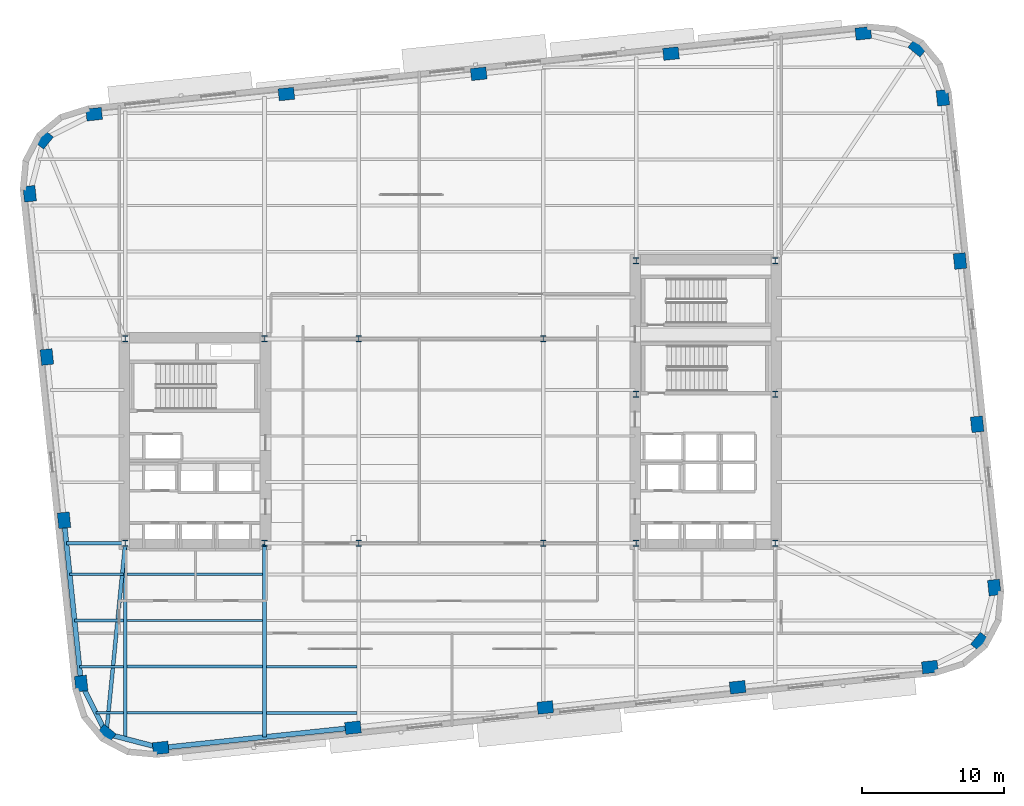
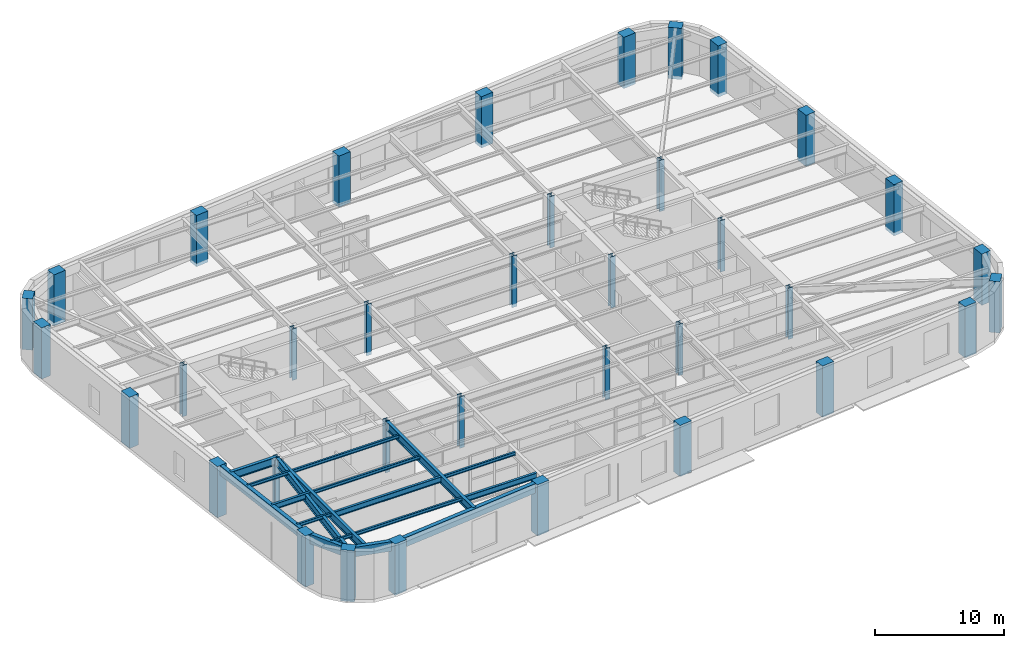
# One storey, part 1 of 14: 36 columns, 18 beams.
"""IFC4 building model written with IfcOpenShell, lengths in metres."""

from ifc_helpers import new_model, si_unit, direction, frame, origin, origin_2d, place, context, subcontext, project, spatial, rectangle, hollow_rectangle, i_section, extrude, material, material_profile, profile_set, type_object, element, save


model = new_model("IFC4")

# Units and contexts
model_context = context("Model", 3, precision=1e-05, world=origin(), true_north=direction((0.0, 1.0)))
body_context = subcontext(model_context, "Body", "Model", "MODEL_VIEW")
ifc_project = project(units=[si_unit("LENGTHUNIT", "METRE"), si_unit("AREAUNIT", "SQUARE_METRE"), si_unit("VOLUMEUNIT", "CUBIC_METRE"), si_unit("PLANEANGLEUNIT", "RADIAN"), si_unit("MASSUNIT", "GRAM", prefix="KILO")], contexts=[model_context])

# Site, building, storey
site_placement = place(None, origin())
site = spatial("IfcSite", under=ifc_project, at=site_placement, CompositionType="ELEMENT")
building_placement = place(site_placement, origin())
building = spatial("IfcBuilding", under=site, at=building_placement, Name="Kolvaren Arena Tower", CompositionType="ELEMENT")
storey_placement = place(building_placement, frame((0.0, 0.0, 125.949951171875)))
storey = spatial("IfcBuildingStorey", under=building, at=storey_placement, Name="L29", CompositionType="ELEMENT", Elevation=125.949951171875)

# Columns
ifc_material_1 = material(Name="Precast concrete C70/85", Category="concrete")
ifc_material_profile_1 = material_profile(ifc_material_1, rectangle(XDim=1.10009765625, YDim=0.85009765625, at=origin_2d()), Name="RC-1100x850")
ifc_profile_set_1 = profile_set([ifc_material_profile_1], Name="Precast concrete C70/85")
column_type_1 = type_object("IfcColumnType", Name="EXCOL-Z2", PredefinedType="COLUMN", material=ifc_profile_set_1)
for number, where, z_axis, x_axis, name in (
    (1, (17.0458984375, 5.024658203125, -0.31005859375), (0.0, 0.0, 1.0), (0.994521895368, 0.104528463268, 0.0), "Exoskeleton Perimeter Column 01 (L29)"),
    (2, (30.59619140625, 6.44873046875, -0.31005859375), (0.0, 0.0, 1.0), (0.994521895368, 0.104528463268, 0.0), "Exoskeleton Perimeter Column 02 (L29)"),
    (3, (44.146728515625, 7.873046875, -0.31005859375), (0.0, 0.0, 1.0), (0.994521895368, 0.104528463268, 0.0), "Exoskeleton Perimeter Column 03 (L29)"),
    (4, (57.697021484375, 9.297119140625, -0.31005859375), (0.0, 0.0, 1.0), (0.994521895368, 0.104528463268, 0.0), "Exoskeleton Perimeter Column 04 (L29)"),
    (5, (71.247314453125, 10.721435546875, -0.31005859375), (0.0, 0.0, 1.0), (0.994521895368, 0.104528463268, 0.0), "Exoskeleton Perimeter Column 05 (L29)"),
    (6, (74.790283203125, 12.49267578125, -0.31005859375), (0.0, 0.0, 1.0), (0.62932039105, 0.777145961457, 0.0), "Exoskeleton Perimeter Column 06 (L29)"),
    (7, (75.786376953125, 16.326416015625, -0.31005859375), (0.0, 0.0, 1.0), (-0.104528463268, 0.994521895368, 0.0), "Exoskeleton Perimeter Column 07 (L29)"),
    (8, (74.577392578125, 27.829833984375, -0.31005859375), (0.0, 0.0, 1.0), (-0.104528463268, 0.994521895368, 0.0), "Exoskeleton Perimeter Column 08 (L29)"),
    (9, (73.368408203125, 39.3330078125, -0.31005859375), (0.0, 0.0, 1.0), (-0.104528463268, 0.994521895368, 0.0), "Exoskeleton Perimeter Column 09 (L29)"),
    (10, (72.1591796875, 50.83642578125, -0.31005859375), (0.0, 0.0, 1.0), (-0.104528463268, 0.994521895368, 0.0), "Exoskeleton Perimeter Column 10 (L29)"),
    (11, (70.387939453125, 54.37939453125, -0.31005859375), (0.0, 0.0, 1.0), (-0.777145961457, 0.62932039105, 0.0), "Exoskeleton Perimeter Column 11 (L29)"),
    (12, (66.55419921875, 55.37548828125, -0.31005859375), (0.0, 0.0, 1.0), (0.994521895368, 0.104528463268, 0.0), "Exoskeleton Perimeter Column 12 (L29)"),
    (13, (53.003662109375, 53.951171875, -0.31005859375), (0.0, 0.0, 1.0), (0.994521895368, 0.104528463268, 0.0), "Exoskeleton Perimeter Column 13 (L29)"),
    (14, (39.453369140625, 52.527099609375, -0.31005859375), (0.0, 0.0, 1.0), (0.994521895368, 0.104528463268, 0.0), "Exoskeleton Perimeter Column 14 (L29)"),
    (15, (25.903076171875, 51.102783203125, -0.31005859375), (0.0, 0.0, 1.0), (0.994521895368, 0.104528463268, 0.0), "Exoskeleton Perimeter Column 15 (L29)"),
    (16, (12.3525390625, 49.6787109375, -0.31005859375), (0.0, 0.0, 1.0), (0.994521895368, 0.104528463268, 0.0), "Exoskeleton Perimeter Column 16 (L29)"),
    (17, (8.8095703125, 47.9072265625, -0.31005859375), (0.0, 0.0, 1.0), (0.62932039105, 0.777145961457, 0.0), "Exoskeleton Perimeter Column 17 (L29)"),
    (18, (7.813720703125, 44.073486328125, -0.31005859375), (0.0, 0.0, 1.0), (-0.104528463268, 0.994521895368, 0.0), "Exoskeleton Perimeter Column 18 (L29)"),
    (19, (9.022705078125, 32.5703125, -0.31005859375), (0.0, 0.0, 1.0), (-0.104528463268, 0.994521895368, 0.0), "Exoskeleton Perimeter Column 19 (L29)"),
    (20, (10.231689453125, 21.06689453125, -0.31005859375), (0.0, 0.0, 1.0), (-0.104528463268, 0.994521895368, 0.0), "Exoskeleton Perimeter Column 20 (L29)"),
    (21, (11.44091796875, 9.5634765625, -0.31005859375), (0.0, 0.0, 1.0), (-0.104528463268, 0.994521895368, 0.0), "Exoskeleton Perimeter Column 21 (L29)"),
    (22, (13.212158203125, 6.0205078125, -0.31005859375), (0.0, 0.0, 1.0), (-0.777145961457, 0.62932039105, 0.0), "Exoskeleton Perimeter Column 22 (L29)"),
):
    element("IfcColumn", number, at=place(storey_placement, frame(where, z_axis=z_axis, x_axis=x_axis)), inside=storey, type_object=column_type_1, Name=name, PredefinedType="COLUMN", context=body_context, shape_type="SweptSolid", body=[
        extrude(rectangle(XDim=1.10009765625, YDim=0.85009765625, at=origin_2d()), origin(), (0.0, 0.0, 1.0), 4.840087890625),
    ])
ifc_material_2 = material(Name="Steel ASTM A913 Grade 65", Category="steel")
ifc_material_profile_2 = material_profile(ifc_material_2, i_section(OverallWidth=0.416015625, OverallDepth=0.446044921875, WebThickness=0.0390625, FlangeThickness=0.062744140625, FilletRadius=0.02001953125, at=origin_2d()), Name="W360x509")
ifc_profile_set_2 = profile_set([ifc_material_profile_2], Name="Steel ASTM A913 Grade 65")
column_type_2 = type_object("IfcColumnType", Name="SCOL-Z2", PredefinedType="COLUMN", material=ifc_profile_set_2)
for number, where, z_axis, x_axis, name in (
    (23, (14.550048828125, 19.449951171875, -0.31005859375), (0.0, 0.0, 1.0), (1.0, 0.0, 0.0), "Core Boundary Column WC-SW (L29)"),
    (24, (24.35009765625, 19.449951171875, -0.31005859375), (0.0, 0.0, 1.0), (1.0, 0.0, 0.0), "Core Boundary Column WC-SE (L29)"),
    (25, (14.550048828125, 33.85009765625, -0.31005859375), (0.0, 0.0, 1.0), (1.0, 0.0, 0.0), "Core Boundary Column WC-NW (L29)"),
    (26, (24.35009765625, 33.85009765625, -0.31005859375), (0.0, 0.0, 1.0), (1.0, 0.0, 0.0), "Core Boundary Column WC-NE (L29)"),
    (27, (50.550048828125, 19.449951171875, -0.31005859375), (0.0, 0.0, 1.0), (1.0, 0.0, 0.0), "Core Boundary Column EC-SW (L29)"),
    (28, (60.35009765625, 19.449951171875, -0.31005859375), (0.0, 0.0, 1.0), (1.0, 0.0, 0.0), "Core Boundary Column EC-SE (L29)"),
    (29, (50.550048828125, 29.949951171875, -0.31005859375), (0.0, 0.0, 1.0), (1.0, 0.0, 0.0), "Core Boundary Column EC-MW (L29)"),
    (30, (60.35009765625, 29.949951171875, -0.31005859375), (0.0, 0.0, 1.0), (1.0, 0.0, 0.0), "Core Boundary Column EC-ME (L29)"),
    (31, (50.550048828125, 39.35009765625, -0.31005859375), (0.0, 0.0, 1.0), (1.0, 0.0, 0.0), "Core Boundary Column EC-NW (L29)"),
    (32, (60.35009765625, 39.35009765625, -0.31005859375), (0.0, 0.0, 1.0), (1.0, 0.0, 0.0), "Core Boundary Column EC-NE (L29)"),
    (33, (31.0, 19.449951171875, -0.31005859375), (0.0, 0.0, 1.0), (1.0, 0.0, 0.0), "Interior Gravity Column TC-SW (L29)"),
    (34, (44.0, 19.449951171875, -0.31005859375), (0.0, 0.0, 1.0), (1.0, 0.0, 0.0), "Interior Gravity Column TC-SE (L29)"),
    (35, (31.0, 33.85009765625, -0.31005859375), (0.0, 0.0, 1.0), (1.0, 0.0, 0.0), "Interior Gravity Column TC-NW (L29)"),
    (36, (44.0, 33.85009765625, -0.31005859375), (0.0, 0.0, 1.0), (1.0, 0.0, 0.0), "Interior Gravity Column TC-NE (L29)"),
):
    element("IfcColumn", number, at=place(storey_placement, frame(where, z_axis=z_axis, x_axis=x_axis)), inside=storey, type_object=column_type_2, Name=name, PredefinedType="COLUMN", context=body_context, shape_type="SweptSolid", body=[
        extrude(i_section(OverallWidth=0.416015625, OverallDepth=0.446044921875, WebThickness=0.0390625, FlangeThickness=0.062744140625, FilletRadius=0.02001953125, at=origin_2d()), origin(), (0.0, 0.0, 1.0), 4.840087890625),
    ])

# Beams
ifc_material_3 = material(Name="Steel CSA G40.21 350W", Category="steel")
ifc_material_profile_3 = material_profile(ifc_material_3, i_section(OverallWidth=0.2119140625, OverallDepth=0.54296875, WebThickness=0.01318359375, FlangeThickness=0.0244140625, FilletRadius=0.013916015625, at=origin_2d()), Name="W530x150")
ifc_profile_set_3 = profile_set([ifc_material_profile_3], Name="Steel CSA G40.21 350W")
beam_type_1 = type_object("IfcBeamType", Name="BEAM-F1", PredefinedType="BEAM", material=ifc_profile_set_3)
beam_1_placement = place(storey_placement, frame((24.485107421875, 7.5, 4.258544921875), z_axis=(1.0, 0.0, 0.0), x_axis=(0.0, 1.0, 0.0)))
element("IfcBeam", 37, at=beam_1_placement, inside=storey, type_object=beam_type_1, Name="Composite Floor Beam (L29)", PredefinedType="BEAM", context=body_context, shape_type="SweptSolid", body=[
    extrude(i_section(OverallWidth=0.2119140625, OverallDepth=0.54296875, WebThickness=0.01318359375, FlangeThickness=0.0244140625, FilletRadius=0.013916015625, at=origin_2d()), origin(), (0.0, 0.0, 1.0), 6.3798828125),
])
beam_2_placement = place(storey_placement, frame((14.68505859375, 10.75, 4.258544921875), z_axis=(1.0, 0.0, 0.0), x_axis=(0.0, 1.0, 0.0)))
element("IfcBeam", 38, at=beam_2_placement, inside=storey, type_object=beam_type_1, Name="Composite Floor Beam (L29)", PredefinedType="BEAM", context=body_context, shape_type="SweptSolid", body=[
    extrude(i_section(OverallWidth=0.2119140625, OverallDepth=0.54296875, WebThickness=0.01318359375, FlangeThickness=0.0244140625, FilletRadius=0.013916015625, at=origin_2d()), origin(), (0.0, 0.0, 1.0), 9.530029296875),
])
beam_3_placement = place(storey_placement, frame((10.974609375, 14.0, 4.258544921875), z_axis=(1.0, 0.0, 0.0), x_axis=(0.0, 1.0, 0.0)))
element("IfcBeam", 39, at=beam_3_placement, inside=storey, type_object=beam_type_1, Name="Composite Floor Beam (L29)", PredefinedType="BEAM", context=body_context, shape_type="SweptSolid", body=[
    extrude(i_section(OverallWidth=0.2119140625, OverallDepth=0.54296875, WebThickness=0.01318359375, FlangeThickness=0.0244140625, FilletRadius=0.013916015625, at=origin_2d()), origin(), (0.0, 0.0, 1.0), 3.4404296875),
])
ifc_material_profile_4 = material_profile(ifc_material_3, i_section(OverallWidth=0.27001953125, OverallDepth=0.77294921875, WebThickness=0.019287109375, FlangeThickness=0.033447265625, FilletRadius=0.01806640625, at=origin_2d()), Name="W760x257")
ifc_profile_set_4 = profile_set([ifc_material_profile_4], Name="Steel CSA G40.21 350W")
beam_type_2 = type_object("IfcBeamType", Name="GIRD-T1", PredefinedType="BEAM", material=ifc_profile_set_4)
beam_4_placement = place(storey_placement, frame((13.212158203125, 6.0205078125, 4.1435546875), z_axis=(0.099132957575, 0.995074196592, 0.0), x_axis=(-0.995074196592, 0.099132957575, 0.0)))
element("IfcBeam", 40, at=beam_4_placement, inside=storey, type_object=beam_type_2, Name="Corner Diagonal Tie Girder (L29)", PredefinedType="BEAM", context=body_context, shape_type="SweptSolid", body=[
    extrude(i_section(OverallWidth=0.27001953125, OverallDepth=0.77294921875, WebThickness=0.019287109375, FlangeThickness=0.033447265625, FilletRadius=0.01806640625, at=origin_2d()), origin(), (0.0, 0.0, 1.0), 13.495849609375),
])
beam_5_placement = place(storey_placement, frame((10.401611328125, 19.449951171875, 4.1435546875), z_axis=(1.0, 0.0, 0.0), x_axis=(0.0, 1.0, 0.0)))
element("IfcBeam", 41, at=beam_5_placement, inside=storey, type_object=beam_type_2, Name="Primary Floor Girder (L29)", PredefinedType="BEAM", context=body_context, shape_type="SweptSolid", body=[
    extrude(i_section(OverallWidth=0.27001953125, OverallDepth=0.77294921875, WebThickness=0.019287109375, FlangeThickness=0.033447265625, FilletRadius=0.01806640625, at=origin_2d()), origin(), (0.0, 0.0, 1.0), 4.093505859375),
])
beam_6_placement = place(storey_placement, frame((14.550048828125, 5.673095703125, 4.1435546875), z_axis=(0.0, 1.0, 0.0), x_axis=(-1.0, 0.0, 0.0)))
element("IfcBeam", 42, at=beam_6_placement, inside=storey, type_object=beam_type_2, Name="Primary Floor Girder (L29)", PredefinedType="BEAM", context=body_context, shape_type="SweptSolid", body=[
    extrude(i_section(OverallWidth=0.27001953125, OverallDepth=0.77294921875, WebThickness=0.019287109375, FlangeThickness=0.033447265625, FilletRadius=0.01806640625, at=origin_2d()), origin(), (0.0, 0.0, 1.0), 13.721923828125),
])
beam_7_placement = place(storey_placement, frame((24.35009765625, 5.792236328125, 4.1435546875), z_axis=(0.0, 1.0, 0.0), x_axis=(-1.0, 0.0, 0.0)))
element("IfcBeam", 43, at=beam_7_placement, inside=storey, type_object=beam_type_2, Name="Primary Floor Girder (L29)", PredefinedType="BEAM", context=body_context, shape_type="SweptSolid", body=[
    extrude(i_section(OverallWidth=0.27001953125, OverallDepth=0.77294921875, WebThickness=0.019287109375, FlangeThickness=0.033447265625, FilletRadius=0.01806640625, at=origin_2d()), origin(), (0.0, 0.0, 1.0), 13.602783203125),
])
ifc_material_profile_5 = material_profile(ifc_material_3, i_section(OverallWidth=0.1669921875, OverallDepth=0.31689453125, WebThickness=0.007568359375, FlangeThickness=0.01318359375, FilletRadius=0.010009765625, at=origin_2d()), Name="W310x52")
ifc_profile_set_5 = profile_set([ifc_material_profile_5], Name="Steel CSA G40.21 350W")
beam_type_3 = type_object("IfcBeamType", Name="JOIST-02", PredefinedType="JOIST", material=ifc_profile_set_5)
beam_8_placement = place(storey_placement, frame((12.472412109375, 7.5, 4.37158203125), z_axis=(1.0, 0.0, 0.0), x_axis=(0.0, 1.0, 0.0)))
element("IfcBeam", 44, at=beam_8_placement, inside=storey, type_object=beam_type_3, Name="Composite Floor Joist (L29)", PredefinedType="JOIST", context=body_context, shape_type="SweptSolid", body=[
    extrude(i_section(OverallWidth=0.1669921875, OverallDepth=0.31689453125, WebThickness=0.007568359375, FlangeThickness=0.01318359375, FilletRadius=0.010009765625, at=origin_2d()), origin(), (0.0, 0.0, 1.0), 1.942626953125),
])
beam_9_placement = place(storey_placement, frame((14.68505859375, 7.5, 4.37158203125), z_axis=(1.0, 0.0, 0.0), x_axis=(0.0, 1.0, 0.0)))
element("IfcBeam", 45, at=beam_9_placement, inside=storey, type_object=beam_type_3, Name="Composite Floor Joist (L29)", PredefinedType="JOIST", context=body_context, shape_type="SweptSolid", body=[
    extrude(i_section(OverallWidth=0.1669921875, OverallDepth=0.31689453125, WebThickness=0.007568359375, FlangeThickness=0.01318359375, FilletRadius=0.010009765625, at=origin_2d()), origin(), (0.0, 0.0, 1.0), 9.530029296875),
])
beam_10_placement = place(storey_placement, frame((11.316162109375, 10.75, 4.37158203125), z_axis=(1.0, 0.0, 0.0), x_axis=(0.0, 1.0, 0.0)))
element("IfcBeam", 46, at=beam_10_placement, inside=storey, type_object=beam_type_3, Name="Composite Floor Joist (L29)", PredefinedType="JOIST", context=body_context, shape_type="SweptSolid", body=[
    extrude(i_section(OverallWidth=0.1669921875, OverallDepth=0.31689453125, WebThickness=0.007568359375, FlangeThickness=0.01318359375, FilletRadius=0.010009765625, at=origin_2d()), origin(), (0.0, 0.0, 1.0), 3.098876953125),
])
beam_11_placement = place(storey_placement, frame((24.485107421875, 10.75, 4.37158203125), z_axis=(1.0, 0.0, 0.0), x_axis=(0.0, 1.0, 0.0)))
element("IfcBeam", 47, at=beam_11_placement, inside=storey, type_object=beam_type_3, Name="Composite Floor Joist (L29)", PredefinedType="JOIST", context=body_context, shape_type="SweptSolid", body=[
    extrude(i_section(OverallWidth=0.1669921875, OverallDepth=0.31689453125, WebThickness=0.007568359375, FlangeThickness=0.01318359375, FilletRadius=0.010009765625, at=origin_2d()), origin(), (0.0, 0.0, 1.0), 6.3798828125),
])
beam_12_placement = place(storey_placement, frame((14.68505859375, 14.0, 4.37158203125), z_axis=(1.0, 0.0, 0.0), x_axis=(0.0, 1.0, 0.0)))
element("IfcBeam", 48, at=beam_12_placement, inside=storey, type_object=beam_type_3, Name="Composite Floor Joist (L29)", PredefinedType="JOIST", context=body_context, shape_type="SweptSolid", body=[
    extrude(i_section(OverallWidth=0.1669921875, OverallDepth=0.31689453125, WebThickness=0.007568359375, FlangeThickness=0.01318359375, FilletRadius=0.010009765625, at=origin_2d()), origin(), (0.0, 0.0, 1.0), 9.530029296875),
])
beam_13_placement = place(storey_placement, frame((10.6328125, 17.25, 4.37158203125), z_axis=(1.0, 0.0, 0.0), x_axis=(0.0, 1.0, 0.0)))
element("IfcBeam", 49, at=beam_13_placement, inside=storey, type_object=beam_type_3, Name="Composite Floor Joist (L29)", PredefinedType="JOIST", context=body_context, shape_type="SweptSolid", body=[
    extrude(i_section(OverallWidth=0.1669921875, OverallDepth=0.31689453125, WebThickness=0.007568359375, FlangeThickness=0.01318359375, FilletRadius=0.010009765625, at=origin_2d()), origin(), (0.0, 0.0, 1.0), 3.7822265625),
])
beam_14_placement = place(storey_placement, frame((14.68505859375, 17.25, 4.37158203125), z_axis=(1.0, 0.0, 0.0), x_axis=(0.0, 1.0, 0.0)))
element("IfcBeam", 50, at=beam_14_placement, inside=storey, type_object=beam_type_3, Name="Composite Floor Joist (L29)", PredefinedType="JOIST", context=body_context, shape_type="SweptSolid", body=[
    extrude(i_section(OverallWidth=0.1669921875, OverallDepth=0.31689453125, WebThickness=0.007568359375, FlangeThickness=0.01318359375, FilletRadius=0.010009765625, at=origin_2d()), origin(), (0.0, 0.0, 1.0), 9.530029296875),
])
ifc_material_4 = material(Name="Steel CSA G40.21 350WT", Category="steel")
ifc_material_profile_6 = material_profile(ifc_material_4, hollow_rectangle(XDim=0.35009765625, YDim=0.89990234375, WallThickness=0.02001953125, at=origin_2d()), Name="HSS 900x350x20")
ifc_profile_set_6 = profile_set([ifc_material_profile_6], Name="Steel CSA G40.21 350WT")
beam_type_4 = type_object("IfcBeamType", Name="SPAND-01", PredefinedType="SPANDREL", material=ifc_profile_set_6)
beam_15_placement = place(storey_placement, frame((17.0458984375, 5.024658203125, 4.080078125), z_axis=(0.994522817887, 0.104519685718, 0.0), x_axis=(-0.104519685718, 0.994522817887, 0.0)))
element("IfcBeam", 51, at=beam_15_placement, inside=storey, type_object=beam_type_4, Name="Perimeter Spandrel Beam (L29)", PredefinedType="SPANDREL", context=body_context, shape_type="SweptSolid", body=[
    extrude(hollow_rectangle(XDim=0.35009765625, YDim=0.89990234375, WallThickness=0.02001953125, at=origin_2d()), origin(), (0.0, 0.0, 1.0), 13.625),
])
beam_16_placement = place(storey_placement, frame((10.231689453125, 21.06689453125, 4.080078125), z_axis=(0.104543048399, -0.994520362301, 0.0), x_axis=(0.994520362301, 0.104543048399, 0.0)))
element("IfcBeam", 52, at=beam_16_placement, inside=storey, type_object=beam_type_4, Name="Perimeter Spandrel Beam (L29)", PredefinedType="SPANDREL", context=body_context, shape_type="SweptSolid", body=[
    extrude(hollow_rectangle(XDim=0.35009765625, YDim=0.89990234375, WallThickness=0.02001953125, at=origin_2d()), origin(), (0.0, 0.0, 1.0), 11.56689453125),
])
for number, where, z_axis, x_axis, name in (
    (53, (11.44091796875, 9.5634765625, 4.080078125), (0.44716428656, -0.894451843771, 0.0), (0.894451843771, 0.44716428656, 0.0), "Perimeter Spandrel Beam (L29)"),
    (54, (13.212158203125, 6.0205078125, 4.080078125), (0.96787922294, -0.25141561169, 0.0), (0.25141561169, 0.96787922294, 0.0), "Perimeter Spandrel Beam (L29)"),
):
    element("IfcBeam", number, at=place(storey_placement, frame(where, z_axis=z_axis, x_axis=x_axis)), inside=storey, type_object=beam_type_4, Name=name, PredefinedType="SPANDREL", context=body_context, shape_type="SweptSolid", body=[
        extrude(hollow_rectangle(XDim=0.35009765625, YDim=0.89990234375, WallThickness=0.02001953125, at=origin_2d()), origin(), (0.0, 0.0, 1.0), 3.9609375),
    ])

save(model, "model.ifc")
